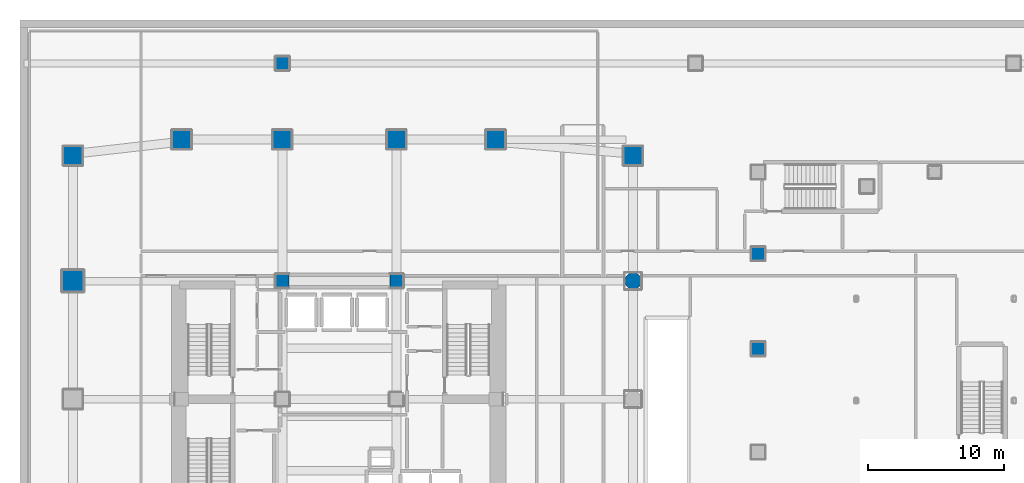
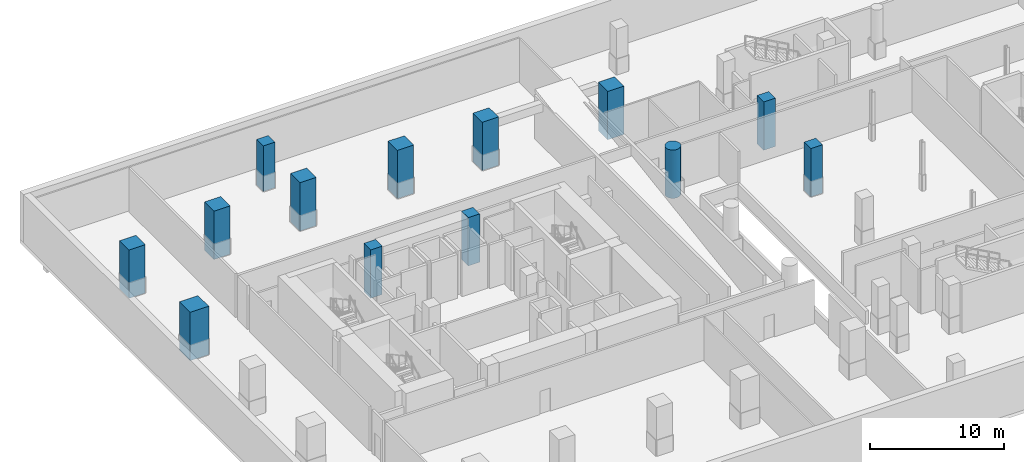
# One storey, part 3 of 22: 13 columns.
"""IFC4 building model written with IfcOpenShell, lengths in metres."""

from ifc_helpers import new_model, si_unit, direction, frame, origin, origin_2d, place, context, subcontext, project, spatial, rectangle, circle, extrude, material, material_profile, profile_set, type_object, element, save


model = new_model("IFC4")

# Units and contexts
model_context = context("Model", 3, precision=1e-05, world=origin(), true_north=direction((0.0, 1.0)))
body_context = subcontext(model_context, "Body", "Model", "MODEL_VIEW")
ifc_project = project(units=[si_unit("LENGTHUNIT", "METRE"), si_unit("AREAUNIT", "SQUARE_METRE"), si_unit("VOLUMEUNIT", "CUBIC_METRE"), si_unit("PLANEANGLEUNIT", "RADIAN"), si_unit("MASSUNIT", "GRAM", prefix="KILO")], contexts=[model_context])

# Site, building, storey
site_placement = place(None, origin())
site = spatial("IfcSite", under=ifc_project, at=site_placement, CompositionType="ELEMENT")
building_placement = place(site_placement, origin())
building = spatial("IfcBuilding", under=site, at=building_placement, Name="Solanera Arch Residences", CompositionType="ELEMENT")
storey_placement = place(building_placement, frame((0.0, 0.0, -4.39990234375)))
storey = spatial("IfcBuildingStorey", under=building, at=storey_placement, Name="B01", CompositionType="ELEMENT", Elevation=-4.39990234375)

# Columns
ifc_material_1 = material(Name="Concrete C55/67 (f'c = 60 MPa)", Category="concrete")
ifc_material_profile_1 = material_profile(ifc_material_1, rectangle(XDim=1.0, YDim=1.0, at=origin_2d()))
ifc_profile_set_1 = profile_set([ifc_material_profile_1], Name="Concrete C55/67 (f'c = 60 MPa)")
column_type_1 = type_object("IfcColumnType", Name="Structural Column RC-COL-1000X1000", PredefinedType="COLUMN", material=ifc_profile_set_1)
for number, where, z_axis, x_axis, name in (
    (1, (20.800048828125, 39.39990234375, 0.0), (0.0, 0.0, 1.0), (1.0, 0.0, 0.0), "COL-B01-CB-NW"),
    (2, (29.199951171875, 39.39990234375, 0.0), (0.0, 0.0, 1.0), (1.0, 0.0, 0.0), "COL-B01-CB-NE"),
):
    element("IfcColumn", number, at=place(storey_placement, frame(where, z_axis=z_axis, x_axis=x_axis)), inside=storey, type_object=column_type_1, Name=name, PredefinedType="COLUMN", context=body_context, shape_type="SweptSolid", body=[
        extrude(rectangle(XDim=1.0, YDim=1.0, at=origin_2d()), origin(), (0.0, 0.0, 1.0), 4.39990234375),
    ])
column_1_placement = place(storey_placement, frame((20.800048828125, 55.39990234375, 0.0), z_axis=(0.0, 0.0, 1.0), x_axis=(1.0, 0.0, 0.0)))
element("IfcColumn", 3, at=column_1_placement, inside=storey, type_object=column_type_1, Name="COL-B01-PAD-12", PredefinedType="COLUMN", context=body_context, shape_type="SweptSolid", body=[
    extrude(rectangle(XDim=1.0, YDim=1.0, at=origin_2d()), origin(), (0.0, 0.0, 1.0), 4.159912109375),
])
for number, where, z_axis, x_axis, name in (
    (4, (55.800048828125, 34.39990234375, 0.0), (0.0, 0.0, 1.0), (1.0, 0.0, 0.0), "COL-B01-HALL-04"),
    (5, (55.800048828125, 41.39990234375, 0.0), (0.0, 0.0, 1.0), (1.0, 0.0, 0.0), "COL-B01-HALL-05"),
):
    element("IfcColumn", number, at=place(storey_placement, frame(where, z_axis=z_axis, x_axis=x_axis)), inside=storey, type_object=column_type_1, Name=name, PredefinedType="COLUMN", context=body_context, shape_type="SweptSolid", body=[
        extrude(rectangle(XDim=1.0, YDim=1.0, at=origin_2d()), origin(), (0.0, 0.0, 1.0), 4.39990234375),
    ])
ifc_material_2 = material(Name="Concrete C55/67 (f'c = 60 MPa)", Category="concrete")
ifc_material_profile_2 = material_profile(ifc_material_2, rectangle(XDim=1.39990234375, YDim=1.39990234375, at=origin_2d()))
ifc_profile_set_2 = profile_set([ifc_material_profile_2], Name="Concrete C55/67 (f'c = 60 MPa)")
column_type_2 = type_object("IfcColumnType", Name="Structural Column RC-COL-1400X1400", PredefinedType="COLUMN", material=ifc_profile_set_2)
for number, where, z_axis, x_axis, name in (
    (6, (13.39990234375, 49.800048828125, 0.0), (0.0, 0.0, 1.0), (1.0, 0.0, 0.0), "COL-B01-POD-03"),
    (7, (20.800048828125, 49.800048828125, 0.0), (0.0, 0.0, 1.0), (1.0, 0.0, 0.0), "COL-B01-POD-04"),
    (8, (29.199951171875, 49.800048828125, 0.0), (0.0, 0.0, 1.0), (1.0, 0.0, 0.0), "COL-B01-POD-05"),
    (9, (36.5, 49.800048828125, 0.0), (0.0, 0.0, 1.0), (1.0, 0.0, 0.0), "COL-B01-POD-06"),
    (10, (5.39990234375, 48.60009765625, 0.0), (0.0, 0.0, 1.0), (1.0, 0.0, 0.0), "COL-B01-POD-15"),
    (11, (46.60009765625, 48.60009765625, 0.0), (0.0, 0.0, 1.0), (1.0, 0.0, 0.0), "COL-B01-POD-16"),
):
    element("IfcColumn", number, at=place(storey_placement, frame(where, z_axis=z_axis, x_axis=x_axis)), inside=storey, type_object=column_type_2, Name=name, PredefinedType="COLUMN", context=body_context, shape_type="SweptSolid", body=[
        extrude(rectangle(XDim=1.39990234375, YDim=1.39990234375, at=origin_2d()), origin(), (0.0, 0.0, 1.0), 4.39990234375),
    ])
ifc_material_3 = material(Name="Concrete C55/67 (f'c = 60 MPa)", Category="concrete")
ifc_material_profile_3 = material_profile(ifc_material_3, rectangle(XDim=1.60009765625, YDim=1.60009765625, at=origin_2d()))
ifc_profile_set_3 = profile_set([ifc_material_profile_3], Name="Concrete C55/67 (f'c = 60 MPa)")
column_type_3 = type_object("IfcColumnType", Name="Structural Column RC-COL-1600X1600", PredefinedType="COLUMN", material=ifc_profile_set_3)
column_2_placement = place(storey_placement, frame((5.39990234375, 39.39990234375, 0.0), z_axis=(0.0, 0.0, 1.0), x_axis=(1.0, 0.0, 0.0)))
element("IfcColumn", 12, at=column_2_placement, inside=storey, type_object=column_type_3, Name="COL-B01-POD-09", PredefinedType="COLUMN", context=body_context, shape_type="SweptSolid", body=[
    extrude(rectangle(XDim=1.60009765625, YDim=1.60009765625, at=origin_2d()), origin(), (0.0, 0.0, 1.0), 4.39990234375),
])
ifc_material_4 = material(Name="Concrete C55/67 (f'c = 60 MPa)", Category="concrete")
ifc_material_profile_4 = material_profile(ifc_material_4, circle(Radius=0.60009765625, at=origin_2d()))
ifc_profile_set_4 = profile_set([ifc_material_profile_4], Name="Concrete C55/67 (f'c = 60 MPa)")
column_type_4 = type_object("IfcColumnType", Name="Structural Column RC-COL-D1200", PredefinedType="COLUMN", material=ifc_profile_set_4)
column_3_placement = place(storey_placement, frame((46.60009765625, 39.39990234375, 0.0), z_axis=(0.0, 0.0, 1.0), x_axis=(1.0, 0.0, 0.0)))
element("IfcColumn", 13, at=column_3_placement, inside=storey, type_object=column_type_4, Name="COL-B01-POD-12", PredefinedType="COLUMN", context=body_context, shape_type="SweptSolid", body=[
    extrude(circle(Radius=0.60009765625, at=origin_2d()), origin(), (0.0, 0.0, 1.0), 4.39990234375),
])

save(model, "model.ifc")
